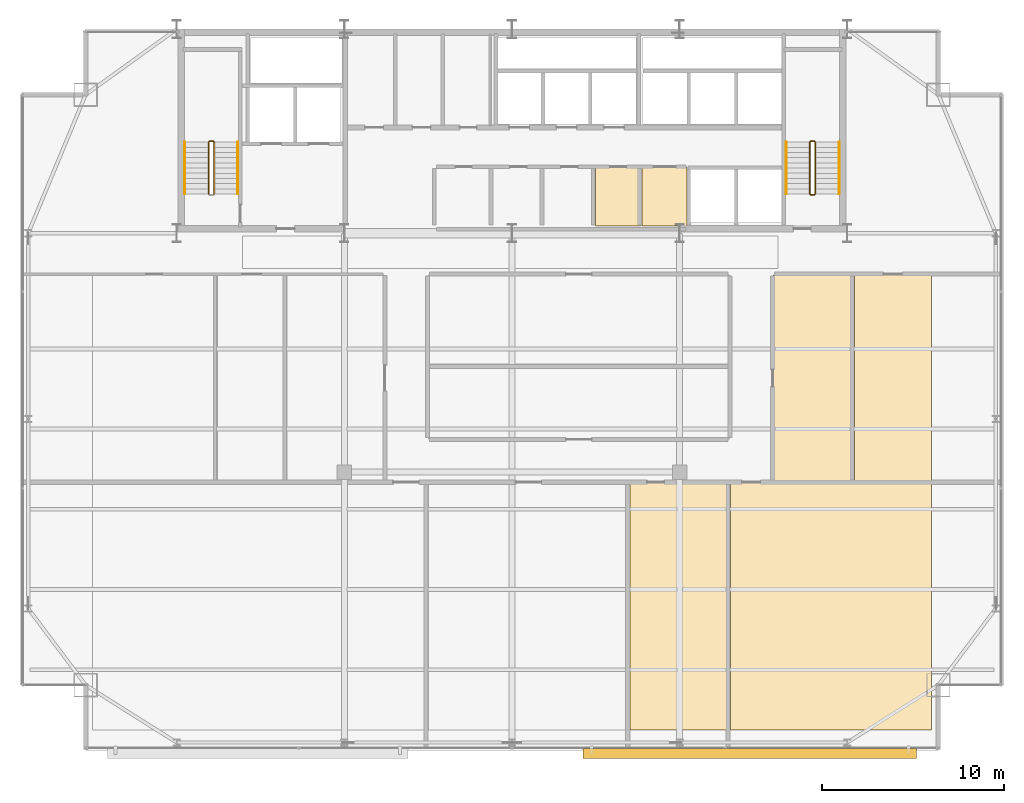
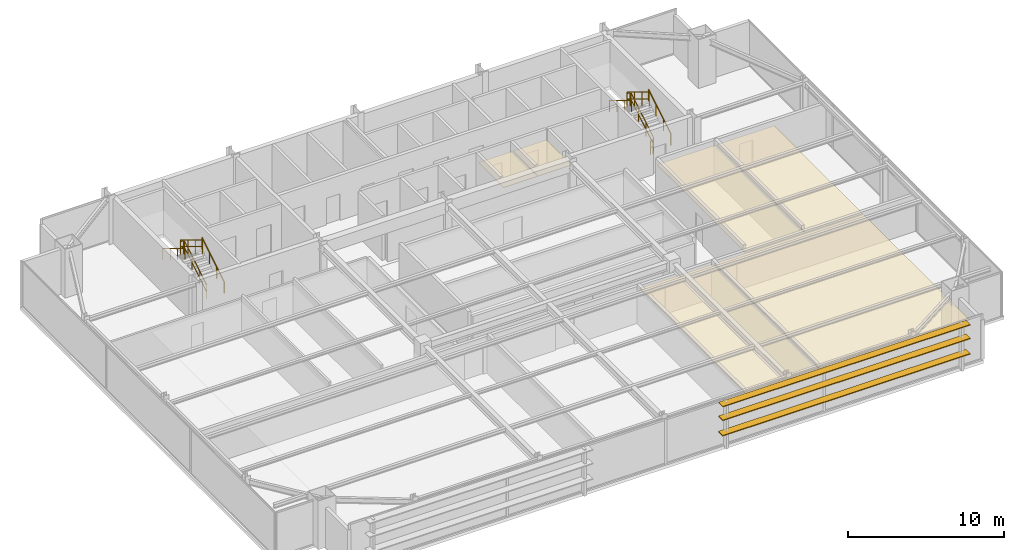
# One storey, part 29 of 29: 11 railings, 6 coverings, 3 shading devices.
"""IFC4 building model written with IfcOpenShell, lengths in metres."""

from ifc_helpers import new_model, si_unit, direction, frame, origin, origin_2d, place, context, subcontext, project, spatial, polyline, rectangle, outline, extrude, source, transform, mapped, material, layer, layer_set, type_object, type_shapes, element, save


model = new_model("IFC4")

# Units and contexts
model_context = context("Model", 3, precision=1e-05, world=origin(), true_north=direction((0.0, 1.0)))
body_context = subcontext(model_context, "Body", "Model", "MODEL_VIEW")
ifc_project = project(units=[si_unit("LENGTHUNIT", "METRE"), si_unit("AREAUNIT", "SQUARE_METRE"), si_unit("VOLUMEUNIT", "CUBIC_METRE"), si_unit("PLANEANGLEUNIT", "RADIAN"), si_unit("MASSUNIT", "GRAM", prefix="KILO")], contexts=[model_context])

# Site, building, storey
site_placement = place(None, origin())
site = spatial("IfcSite", under=ifc_project, at=site_placement, CompositionType="ELEMENT")
building_placement = place(site_placement, origin())
building = spatial("IfcBuilding", under=site, at=building_placement, Name="Varnel Quay Broadcast Tower", CompositionType="ELEMENT")
storey_placement = place(building_placement, frame((0.0, 0.0, 187.60009765625)))
storey = spatial("IfcBuildingStorey", under=building, at=storey_placement, Name="L46", CompositionType="ELEMENT", Elevation=187.60009765625)

# Coverings
ifc_material_1 = material(Name="Micro-Perforated Acoustic Ceiling Tile")
ifc_layer_1 = layer(ifc_material_1, 0.0400390625, Name="Micro-Perforated Acoustic Ceiling Tile")
ifc_layer_set_1 = layer_set([ifc_layer_1], Name="Micro-Perforated Acoustic Ceiling Tile")
covering_type = type_object("IfcCoveringType", Name="Cov_AcousticCeiling", PredefinedType="CEILING", material=ifc_layer_set_1)
covering_1_placement = place(storey_placement, frame((0.0, 0.0, 2.579833984375)))
element("IfcCovering", 1, at=covering_1_placement, inside=storey, type_object=covering_type, Name="L46 Cleaners' & Linen Store Acoustic Ceiling", PredefinedType="CEILING", context=body_context, shape_type="SweptSolid", body=[
    extrude(outline(polyline([(38.5849609375, 35.985107421875), (41.06494140625, 35.985107421875), (41.06494140625, 39.215087890625), (38.5849609375, 39.215087890625), (38.5849609375, 35.985107421875)])), origin(), (0.0, 0.0, 1.0), 0.0400390625),
])
covering_2_placement = place(storey_placement, frame((0.0, 0.0, 2.579833984375)))
element("IfcCovering", 2, at=covering_2_placement, inside=storey, type_object=covering_type, Name="L46 Telecom IDF Closet Acoustic Ceiling", PredefinedType="CEILING", context=body_context, shape_type="SweptSolid", body=[
    extrude(outline(polyline([(41.135009765625, 35.985107421875), (43.614990234375, 35.985107421875), (43.614990234375, 39.215087890625), (41.135009765625, 39.215087890625), (41.135009765625, 35.985107421875)])), origin(), (0.0, 0.0, 1.0), 0.0400390625),
])
covering_3_placement = place(storey_placement, frame((0.0, 0.0, 2.579833984375)))
element("IfcCovering", 3, at=covering_3_placement, inside=storey, type_object=covering_type, Name="L46 Audio Control Room 3 Acoustic Ceiling", PredefinedType="CEILING", context=body_context, shape_type="SweptSolid", body=[
    extrude(outline(polyline([(40.485107421875, 8.324951171875), (45.925048828125, 8.324951171875), (45.925048828125, 21.89501953125), (40.485107421875, 21.89501953125), (40.485107421875, 8.324951171875)])), origin(), (0.0, 0.0, 1.0), 0.0400390625),
])
covering_4_placement = place(storey_placement, frame((0.0, 0.0, 2.579833984375)))
element("IfcCovering", 4, at=covering_4_placement, inside=storey, type_object=covering_type, Name="L46 Talent Lounge 4 Acoustic Ceiling", PredefinedType="CEILING", context=body_context, shape_type="SweptSolid", body=[
    extrude(outline(polyline([(45.9951171875, 8.324951171875), (57.014892578125, 8.324951171875), (57.014892578125, 21.89501953125), (45.9951171875, 21.89501953125), (45.9951171875, 8.324951171875)])), origin(), (0.0, 0.0, 1.0), 0.0400390625),
])
covering_5_placement = place(storey_placement, frame((0.0, 0.0, 2.579833984375)))
element("IfcCovering", 5, at=covering_5_placement, inside=storey, type_object=covering_type, Name="L46 Audio Control Room 10 Acoustic Ceiling", PredefinedType="CEILING", context=body_context, shape_type="SweptSolid", body=[
    extrude(outline(polyline([(48.344970703125, 21.965087890625), (52.715087890625, 21.965087890625), (52.715087890625, 33.31494140625), (48.344970703125, 33.31494140625), (48.344970703125, 21.965087890625)])), origin(), (0.0, 0.0, 1.0), 0.0400390625),
])
covering_6_placement = place(storey_placement, frame((0.0, 0.0, 2.579833984375)))
element("IfcCovering", 6, at=covering_6_placement, inside=storey, type_object=covering_type, Name="L46 Talent Lounge 11 Acoustic Ceiling", PredefinedType="CEILING", context=body_context, shape_type="SweptSolid", body=[
    extrude(outline(polyline([(52.784912109375, 21.965087890625), (57.014892578125, 21.965087890625), (57.014892578125, 33.31494140625), (52.784912109375, 33.31494140625), (52.784912109375, 21.965087890625)])), origin(), (0.0, 0.0, 1.0), 0.0400390625),
])

# Railings
ifc_material_2 = material(Name="Painted Steel Guard and Handrail CSA G40.21 350W", Category="steel")
railing_type_1 = type_object("IfcRailingType", Name="Rail_StairGuard1100", PredefinedType="GUARDRAIL", material=ifc_material_2)
railing_1_placement = place(storey_placement, frame((17.64990234375, 37.75, 0.172607421875)))
element("IfcRailing", 7, at=railing_1_placement, inside=storey, type_object=railing_type_1, Name="L46 ST-01 stair guard 1", PredefinedType="GUARDRAIL", context=body_context, shape_type="SweptSolid", body=[
    extrude(rectangle(XDim=0.048095703125, YDim=0.048095703125, at=origin_2d()), frame((0.0, 0.0, 1.076171875), z_axis=(0.0, 0.855202751398, 0.518293598264), x_axis=(-1.0, 0.0, 0.0)), (0.0, 0.0, 1.0), 3.332763671875),
    extrude(rectangle(XDim=0.048095703125, YDim=0.048095703125, at=origin_2d()), frame((0.0, 0.0, 0.550048828125), z_axis=(0.0, 0.855202751398, 0.518293598264), x_axis=(-1.0, 0.0, 0.0)), (0.0, 0.0, 1.0), 3.332763671875),
    extrude(rectangle(XDim=0.0419921875, YDim=0.0419921875, at=origin_2d()), origin(), (0.0, 0.0, 1.0), 1.052001953125),
    extrude(rectangle(XDim=0.0419921875, YDim=0.0419921875, at=origin_2d()), frame((0.0, 0.949951171875, 0.57568359375)), (0.0, 0.0, 1.0), 1.052001953125),
    extrude(rectangle(XDim=0.0419921875, YDim=0.0419921875, at=origin_2d()), frame((0.0, 1.900146484375, 1.151611328125)), (0.0, 0.0, 1.0), 1.052001953125),
    extrude(rectangle(XDim=0.0419921875, YDim=0.0419921875, at=origin_2d()), frame((0.0, 2.85009765625, 1.727294921875)), (0.0, 0.0, 1.0), 1.052001953125),
])
railing_2_placement = place(storey_placement, frame((17.60009765625, 40.64990234375, 1.89990234375)))
element("IfcRailing", 8, at=railing_2_placement, inside=storey, type_object=railing_type_1, Name="L46 ST-01 stair guard 2", PredefinedType="GUARDRAIL", context=body_context, shape_type="SweptSolid", body=[
    extrude(rectangle(XDim=0.048095703125, YDim=0.048095703125, at=origin_2d()), frame((0.0, 0.0, 1.076171875), z_axis=(-1.0, 0.0, 0.0), x_axis=(0.0, -1.0, 0.0)), (0.0, 0.0, 1.0), 0.2001953125),
    extrude(rectangle(XDim=0.048095703125, YDim=0.048095703125, at=origin_2d()), frame((0.0, 0.0, 0.550048828125), z_axis=(-1.0, 0.0, 0.0), x_axis=(0.0, -1.0, 0.0)), (0.0, 0.0, 1.0), 0.2001953125),
    extrude(rectangle(XDim=0.0419921875, YDim=0.0419921875, at=origin_2d()), origin(), (0.0, 0.0, 1.0), 1.052001953125),
    extrude(rectangle(XDim=0.0419921875, YDim=0.0419921875, at=origin_2d()), frame((-0.2001953125, 0.0, 0.0)), (0.0, 0.0, 1.0), 1.052001953125),
])
railing_3_placement = place(storey_placement, frame((17.35009765625, 40.60009765625, 2.072509765625)))
element("IfcRailing", 9, at=railing_3_placement, inside=storey, type_object=railing_type_1, Name="L46 ST-01 stair guard 3", PredefinedType="GUARDRAIL", context=body_context, shape_type="SweptSolid", body=[
    extrude(rectangle(XDim=0.048095703125, YDim=0.048095703125, at=origin_2d()), frame((0.0, 0.0, 1.076171875), z_axis=(0.0, -0.855202751398, 0.518293598264), x_axis=(1.0, 0.0, 0.0)), (0.0, 0.0, 1.0), 3.332763671875),
    extrude(rectangle(XDim=0.048095703125, YDim=0.048095703125, at=origin_2d()), frame((0.0, 0.0, 0.550048828125), z_axis=(0.0, -0.855202751398, 0.518293598264), x_axis=(1.0, 0.0, 0.0)), (0.0, 0.0, 1.0), 3.332763671875),
    extrude(rectangle(XDim=0.0419921875, YDim=0.0419921875, at=origin_2d()), origin(), (0.0, 0.0, 1.0), 1.052001953125),
    extrude(rectangle(XDim=0.0419921875, YDim=0.0419921875, at=origin_2d()), frame((0.0, -0.949951171875, 0.57568359375)), (0.0, 0.0, 1.0), 1.052001953125),
    extrude(rectangle(XDim=0.0419921875, YDim=0.0419921875, at=origin_2d()), frame((0.0, -1.900146484375, 1.151611328125)), (0.0, 0.0, 1.0), 1.052001953125),
    extrude(rectangle(XDim=0.0419921875, YDim=0.0419921875, at=origin_2d()), frame((0.0, -2.85009765625, 1.727294921875)), (0.0, 0.0, 1.0), 1.052001953125),
])
railing_4_placement = place(storey_placement, frame((50.64990234375, 37.75, 0.172607421875)))
element("IfcRailing", 10, at=railing_4_placement, inside=storey, type_object=railing_type_1, Name="L46 ST-02 stair guard 1", PredefinedType="GUARDRAIL", context=body_context, shape_type="SweptSolid", body=[
    extrude(rectangle(XDim=0.048095703125, YDim=0.048095703125, at=origin_2d()), frame((0.0, 0.0, 1.076171875), z_axis=(0.0, 0.855202751398, 0.518293598264), x_axis=(-1.0, 0.0, 0.0)), (0.0, 0.0, 1.0), 3.332763671875),
    extrude(rectangle(XDim=0.048095703125, YDim=0.048095703125, at=origin_2d()), frame((0.0, 0.0, 0.550048828125), z_axis=(0.0, 0.855202751398, 0.518293598264), x_axis=(-1.0, 0.0, 0.0)), (0.0, 0.0, 1.0), 3.332763671875),
    extrude(rectangle(XDim=0.0419921875, YDim=0.0419921875, at=origin_2d()), origin(), (0.0, 0.0, 1.0), 1.052001953125),
    extrude(rectangle(XDim=0.0419921875, YDim=0.0419921875, at=origin_2d()), frame((0.0, 0.949951171875, 0.57568359375)), (0.0, 0.0, 1.0), 1.052001953125),
    extrude(rectangle(XDim=0.0419921875, YDim=0.0419921875, at=origin_2d()), frame((0.0, 1.900146484375, 1.151611328125)), (0.0, 0.0, 1.0), 1.052001953125),
    extrude(rectangle(XDim=0.0419921875, YDim=0.0419921875, at=origin_2d()), frame((0.0, 2.85009765625, 1.727294921875)), (0.0, 0.0, 1.0), 1.052001953125),
])
railing_5_placement = place(storey_placement, frame((50.60009765625, 40.64990234375, 1.89990234375)))
element("IfcRailing", 11, at=railing_5_placement, inside=storey, type_object=railing_type_1, Name="L46 ST-02 stair guard 2", PredefinedType="GUARDRAIL", context=body_context, shape_type="SweptSolid", body=[
    extrude(rectangle(XDim=0.048095703125, YDim=0.048095703125, at=origin_2d()), frame((0.0, 0.0, 1.076171875), z_axis=(-1.0, 0.0, 0.0), x_axis=(0.0, -1.0, 0.0)), (0.0, 0.0, 1.0), 0.2001953125),
    extrude(rectangle(XDim=0.048095703125, YDim=0.048095703125, at=origin_2d()), frame((0.0, 0.0, 0.550048828125), z_axis=(-1.0, 0.0, 0.0), x_axis=(0.0, -1.0, 0.0)), (0.0, 0.0, 1.0), 0.2001953125),
    extrude(rectangle(XDim=0.0419921875, YDim=0.0419921875, at=origin_2d()), origin(), (0.0, 0.0, 1.0), 1.052001953125),
    extrude(rectangle(XDim=0.0419921875, YDim=0.0419921875, at=origin_2d()), frame((-0.2001953125, 0.0, 0.0)), (0.0, 0.0, 1.0), 1.052001953125),
])
railing_6_placement = place(storey_placement, frame((50.35009765625, 40.60009765625, 2.072509765625)))
element("IfcRailing", 12, at=railing_6_placement, inside=storey, type_object=railing_type_1, Name="L46 ST-02 stair guard 3", PredefinedType="GUARDRAIL", context=body_context, shape_type="SweptSolid", body=[
    extrude(rectangle(XDim=0.048095703125, YDim=0.048095703125, at=origin_2d()), frame((0.0, 0.0, 1.076171875), z_axis=(0.0, -0.855202751398, 0.518293598264), x_axis=(1.0, 0.0, 0.0)), (0.0, 0.0, 1.0), 3.332763671875),
    extrude(rectangle(XDim=0.048095703125, YDim=0.048095703125, at=origin_2d()), frame((0.0, 0.0, 0.550048828125), z_axis=(0.0, -0.855202751398, 0.518293598264), x_axis=(1.0, 0.0, 0.0)), (0.0, 0.0, 1.0), 3.332763671875),
    extrude(rectangle(XDim=0.0419921875, YDim=0.0419921875, at=origin_2d()), origin(), (0.0, 0.0, 1.0), 1.052001953125),
    extrude(rectangle(XDim=0.0419921875, YDim=0.0419921875, at=origin_2d()), frame((0.0, -0.949951171875, 0.57568359375)), (0.0, 0.0, 1.0), 1.052001953125),
    extrude(rectangle(XDim=0.0419921875, YDim=0.0419921875, at=origin_2d()), frame((0.0, -1.900146484375, 1.151611328125)), (0.0, 0.0, 1.0), 1.052001953125),
    extrude(rectangle(XDim=0.0419921875, YDim=0.0419921875, at=origin_2d()), frame((0.0, -2.85009765625, 1.727294921875)), (0.0, 0.0, 1.0), 1.052001953125),
])
railing_7_placement = place(storey_placement, frame((50.60009765625, 37.699951171875, 0.0)))
element("IfcRailing", 13, at=railing_7_placement, inside=storey, type_object=railing_type_1, Name="L46 ST-02 stair guard 4", PredefinedType="GUARDRAIL", context=body_context, shape_type="SweptSolid", body=[
    extrude(rectangle(XDim=0.048095703125, YDim=0.048095703125, at=origin_2d()), frame((0.0, 0.0, 1.076171875), z_axis=(-1.0, 0.0, 0.0), x_axis=(0.0, -1.0, 0.0)), (0.0, 0.0, 1.0), 0.2001953125),
    extrude(rectangle(XDim=0.048095703125, YDim=0.048095703125, at=origin_2d()), frame((0.0, 0.0, 0.550048828125), z_axis=(-1.0, 0.0, 0.0), x_axis=(0.0, -1.0, 0.0)), (0.0, 0.0, 1.0), 0.2001953125),
    extrude(rectangle(XDim=0.0419921875, YDim=0.0419921875, at=origin_2d()), origin(), (0.0, 0.0, 1.0), 1.052001953125),
    extrude(rectangle(XDim=0.0419921875, YDim=0.0419921875, at=origin_2d()), frame((-0.2001953125, 0.0, 0.0)), (0.0, 0.0, 1.0), 1.052001953125),
])
railing_type_2 = type_object("IfcRailingType", Name="Rail_StairHandrail900", PredefinedType="HANDRAIL", material=ifc_material_2)
railing_8_placement = place(storey_placement, frame((18.949951171875, 37.75, 0.172607421875)))
element("IfcRailing", 14, at=railing_8_placement, inside=storey, type_object=railing_type_2, Name="L46 ST-01 stair handrail 1", PredefinedType="HANDRAIL", context=body_context, shape_type="SweptSolid", body=[
    extrude(rectangle(XDim=0.048095703125, YDim=0.048095703125, at=origin_2d()), frame((0.0, 0.0, 0.8759765625), z_axis=(0.0, 0.855202751398, 0.518293598264), x_axis=(-1.0, 0.0, 0.0)), (0.0, 0.0, 1.0), 3.332763671875),
    extrude(rectangle(XDim=0.0419921875, YDim=0.0419921875, at=origin_2d()), origin(), (0.0, 0.0, 1.0), 0.851806640625),
    extrude(rectangle(XDim=0.0419921875, YDim=0.0419921875, at=origin_2d()), frame((0.0, 0.949951171875, 0.57568359375)), (0.0, 0.0, 1.0), 0.851806640625),
    extrude(rectangle(XDim=0.0419921875, YDim=0.0419921875, at=origin_2d()), frame((0.0, 1.900146484375, 1.151611328125)), (0.0, 0.0, 1.0), 0.851806640625),
    extrude(rectangle(XDim=0.0419921875, YDim=0.0419921875, at=origin_2d()), frame((0.0, 2.85009765625, 1.727294921875)), (0.0, 0.0, 1.0), 0.851806640625),
])
railing_9_placement = place(storey_placement, frame((16.050048828125, 40.60009765625, 2.072509765625)))
element("IfcRailing", 15, at=railing_9_placement, inside=storey, type_object=railing_type_2, Name="L46 ST-01 stair handrail 2", PredefinedType="HANDRAIL", context=body_context, shape_type="SweptSolid", body=[
    extrude(rectangle(XDim=0.048095703125, YDim=0.048095703125, at=origin_2d()), frame((0.0, 0.0, 0.8759765625), z_axis=(0.0, -0.855202751398, 0.518293598264), x_axis=(1.0, 0.0, 0.0)), (0.0, 0.0, 1.0), 3.332763671875),
    extrude(rectangle(XDim=0.0419921875, YDim=0.0419921875, at=origin_2d()), origin(), (0.0, 0.0, 1.0), 0.851806640625),
    extrude(rectangle(XDim=0.0419921875, YDim=0.0419921875, at=origin_2d()), frame((0.0, -0.949951171875, 0.57568359375)), (0.0, 0.0, 1.0), 0.851806640625),
    extrude(rectangle(XDim=0.0419921875, YDim=0.0419921875, at=origin_2d()), frame((0.0, -1.900146484375, 1.151611328125)), (0.0, 0.0, 1.0), 0.851806640625),
    extrude(rectangle(XDim=0.0419921875, YDim=0.0419921875, at=origin_2d()), frame((0.0, -2.85009765625, 1.727294921875)), (0.0, 0.0, 1.0), 0.851806640625),
])
railing_10_placement = place(storey_placement, frame((51.949951171875, 37.75, 0.172607421875)))
element("IfcRailing", 16, at=railing_10_placement, inside=storey, type_object=railing_type_2, Name="L46 ST-02 stair handrail 1", PredefinedType="HANDRAIL", context=body_context, shape_type="SweptSolid", body=[
    extrude(rectangle(XDim=0.048095703125, YDim=0.048095703125, at=origin_2d()), frame((0.0, 0.0, 0.8759765625), z_axis=(0.0, 0.855202751398, 0.518293598264), x_axis=(-1.0, 0.0, 0.0)), (0.0, 0.0, 1.0), 3.332763671875),
    extrude(rectangle(XDim=0.0419921875, YDim=0.0419921875, at=origin_2d()), origin(), (0.0, 0.0, 1.0), 0.851806640625),
    extrude(rectangle(XDim=0.0419921875, YDim=0.0419921875, at=origin_2d()), frame((0.0, 0.949951171875, 0.57568359375)), (0.0, 0.0, 1.0), 0.851806640625),
    extrude(rectangle(XDim=0.0419921875, YDim=0.0419921875, at=origin_2d()), frame((0.0, 1.900146484375, 1.151611328125)), (0.0, 0.0, 1.0), 0.851806640625),
    extrude(rectangle(XDim=0.0419921875, YDim=0.0419921875, at=origin_2d()), frame((0.0, 2.85009765625, 1.727294921875)), (0.0, 0.0, 1.0), 0.851806640625),
])
railing_11_placement = place(storey_placement, frame((49.050048828125, 40.60009765625, 2.072509765625)))
element("IfcRailing", 17, at=railing_11_placement, inside=storey, type_object=railing_type_2, Name="L46 ST-02 stair handrail 2", PredefinedType="HANDRAIL", context=body_context, shape_type="SweptSolid", body=[
    extrude(rectangle(XDim=0.048095703125, YDim=0.048095703125, at=origin_2d()), frame((0.0, 0.0, 0.8759765625), z_axis=(0.0, -0.855202751398, 0.518293598264), x_axis=(1.0, 0.0, 0.0)), (0.0, 0.0, 1.0), 3.332763671875),
    extrude(rectangle(XDim=0.0419921875, YDim=0.0419921875, at=origin_2d()), origin(), (0.0, 0.0, 1.0), 0.851806640625),
    extrude(rectangle(XDim=0.0419921875, YDim=0.0419921875, at=origin_2d()), frame((0.0, -0.949951171875, 0.57568359375)), (0.0, 0.0, 1.0), 0.851806640625),
    extrude(rectangle(XDim=0.0419921875, YDim=0.0419921875, at=origin_2d()), frame((0.0, -1.900146484375, 1.151611328125)), (0.0, 0.0, 1.0), 0.851806640625),
    extrude(rectangle(XDim=0.0419921875, YDim=0.0419921875, at=origin_2d()), frame((0.0, -2.85009765625, 1.727294921875)), (0.0, 0.0, 1.0), 0.851806640625),
])

# Shading devices
ifc_material_3 = material(Name="Bronze-Terracotta Extruded Ceramic Blade", Category="masonry")
ifc_layer_2 = layer(ifc_material_3, 0.06494140625, Name="Bronze-Terracotta Extruded Ceramic Blade")
ifc_layer_set_2 = layer_set([ifc_layer_2], Name="Bronze-Terracotta Extruded Ceramic Blade")
shading_device_type = type_object("IfcShadingDeviceType", Name="Shade_LouvreBlade550", PredefinedType="JALOUSIE", material=ifc_layer_set_2)
shared_shape = source(origin(), body_context, "Body", "SweptSolid", [
    extrude(rectangle(XDim=18.294921875, YDim=0.550048828125, at=origin_2d()), origin(), (0.0, 0.0, 1.0), 0.06494140625),
])
type_shapes(shading_device_type, [shared_shape])
for number, where, z_axis, x_axis, name in (
    (18, (47.052978515625, 7.06005859375, 1.117431640625), (0.0, 0.0, 1.0), (1.0, 0.0, 0.0), "L46 Lobe 2 Horizontal Louvre Blade 1"),
    (19, (47.052978515625, 7.06005859375, 2.3173828125), (0.0, 0.0, 1.0), (1.0, 0.0, 0.0), "L46 Lobe 2 Horizontal Louvre Blade 2"),
    (20, (47.052978515625, 7.06005859375, 3.387451171875), (0.0, 0.0, 1.0), (1.0, 0.0, 0.0), "L46 Lobe 2 Horizontal Louvre Blade 3"),
):
    element("IfcShadingDevice", number, at=place(storey_placement, frame(where, z_axis=z_axis, x_axis=x_axis)), inside=storey, type_object=shading_device_type, Name=name, PredefinedType="JALOUSIE", context=body_context, shape_type="MappedRepresentation", body=[
        mapped(shared_shape, transform((0.0, 0.0, 0.0), x_axis=(1.0, 0.0, 0.0), y_axis=(0.0, 1.0, 0.0), z_axis=(0.0, 0.0, 1.0), scale=1.0)),
    ])

save(model, "model.ifc")
